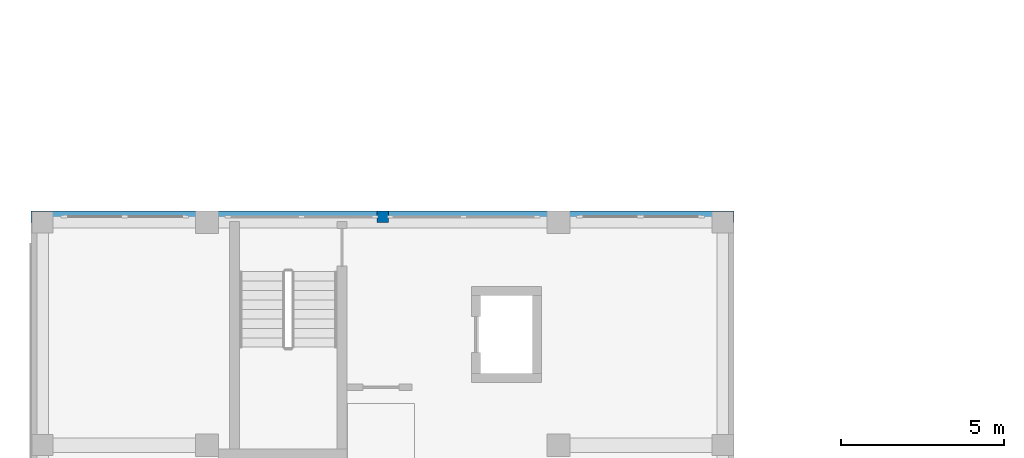
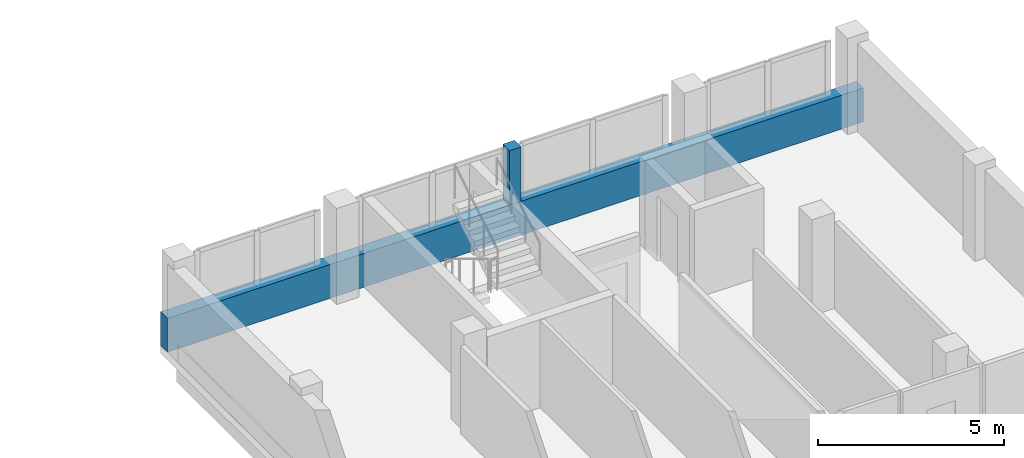
# One storey, part 28 of 56: 2 walls.
"""IFC4 building model written with IfcOpenShell, lengths in metres."""

from ifc_helpers import new_model, si_unit, derived_unit, direction, frame, frame_2d, origin, place, context, subcontext, project, spatial, rectangle, extrude, material, layer, layer_set, type_object, element, save


model = new_model("IFC4")

# Units and contexts
model_context = context("Model", 3, precision=1e-05, world=origin(), true_north=direction((0.0, 1.0)))
body_context = subcontext(model_context, "Body", "Model", "MODEL_VIEW")
ifc_project = project(units=[si_unit("LENGTHUNIT", "METRE"), si_unit("AREAUNIT", "SQUARE_METRE"), si_unit("VOLUMEUNIT", "CUBIC_METRE"), si_unit("PLANEANGLEUNIT", "RADIAN"), si_unit("MASSUNIT", "GRAM", prefix="KILO"), derived_unit("THERMALTRANSMITTANCEUNIT", [(si_unit("MASSUNIT", "GRAM", prefix="KILO"), 1), (si_unit("TIMEUNIT", "SECOND"), -3), (si_unit("THERMODYNAMICTEMPERATUREUNIT", "KELVIN"), -1)])], contexts=[model_context])

# Site, building, storey
site_placement = place(None, origin())
site = spatial("IfcSite", under=ifc_project, at=site_placement, CompositionType="ELEMENT")
building_placement = place(site_placement, origin())
building = spatial("IfcBuilding", under=site, at=building_placement, Name="Ochrekiln Boulevard Commons", CompositionType="ELEMENT")
storey_placement = place(building_placement, frame((0.0, 0.0, 12.074951171875)))
storey = spatial("IfcBuildingStorey", under=building, at=storey_placement, Name="L03", CompositionType="ELEMENT", Elevation=12.074951171875)

# Walls
ifc_material = material(Name="Iron-spot brown clinker brick masonry ASTM C216 Grade SW", Category="masonry")
ifc_layer = layer(ifc_material, 0.364990234375)
ifc_layer_set = layer_set([ifc_layer], Name="Iron-spot brown clinker brick masonry ASTM C216 Grade SW")
wall_type = type_object("IfcWallType", Name="WL-EXT-IRON-365", PredefinedType="SOLIDWALL", material=ifc_layer_set)
wall_1_placement = place(storey_placement, frame((0.0, 50.217529296875, 0.0), z_axis=(0.0, 0.0, 1.0), x_axis=(1.0, 0.0, 0.0)))
element("IfcWall", 1, at=wall_1_placement, inside=storey, type_object=wall_type, Name="Block D L03 Courtyard Gable Sill Wall", PredefinedType="SOLIDWALL", context=body_context, shape_type="SweptSolid", body=[
    extrude(rectangle(XDim=21.60009765625, YDim=0.364990234375, at=frame_2d((10.800048828125, 0.0))), origin(), (0.0, 0.0, 1.0), 1.110107421875),
])
wall_2_placement = place(storey_placement, frame((10.6201171875, 50.217529296875, 1.110107421875), z_axis=(0.0, 0.0, 1.0), x_axis=(1.0, 0.0, 0.0)))
element("IfcWall", 2, at=wall_2_placement, inside=storey, type_object=wall_type, Name="Block D L03 Courtyard Gable Mullion Pier", PredefinedType="SOLIDWALL", context=body_context, shape_type="SweptSolid", body=[
    extrude(rectangle(XDim=0.35986328125, YDim=0.364990234375, at=frame_2d((0.179931640625, 0.0))), origin(), (0.0, 0.0, 1.0), 1.780029296875),
])

save(model, "model.ifc")
